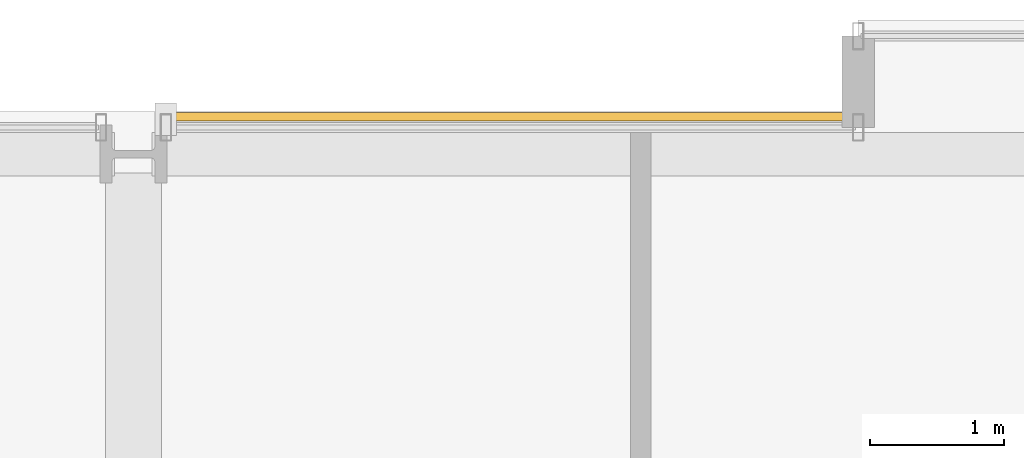
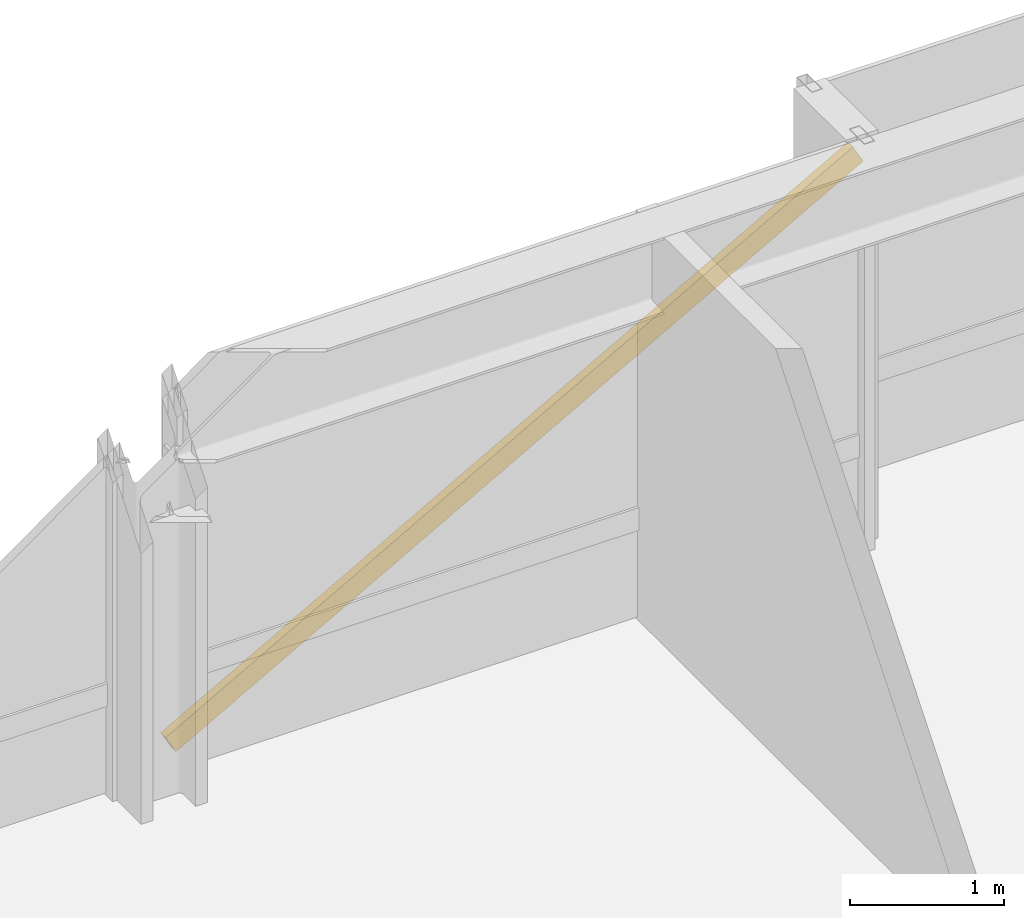
# One storey, part 38 of 38: 1 shading device.
"""IFC4 building model written with IfcOpenShell, lengths in metres."""

from ifc_helpers import new_model, si_unit, direction, frame, origin, origin_2d, place, context, subcontext, project, spatial, hollow_rectangle, extrude, material, material_profile, profile_set, type_object, element, save


model = new_model("IFC4")

# Units and contexts
model_context = context("Model", 3, precision=1e-05, world=origin(), true_north=direction((0.0, 1.0)))
body_context = subcontext(model_context, "Body", "Model", "MODEL_VIEW")
ifc_project = project(units=[si_unit("LENGTHUNIT", "METRE"), si_unit("AREAUNIT", "SQUARE_METRE"), si_unit("VOLUMEUNIT", "CUBIC_METRE"), si_unit("PLANEANGLEUNIT", "RADIAN"), si_unit("MASSUNIT", "GRAM", prefix="KILO")], contexts=[model_context])

# Site, building, storey
site_placement = place(None, origin())
site = spatial("IfcSite", under=ifc_project, at=site_placement, CompositionType="ELEMENT")
building_placement = place(site_placement, origin())
building = spatial("IfcBuilding", under=site, at=building_placement, Name="Drelvath Grand Hotel", CompositionType="ELEMENT")
storey_placement = place(building_placement, frame((0.0, 0.0, 57.699951171875)))
storey = spatial("IfcBuildingStorey", under=building, at=storey_placement, Name="L13", CompositionType="ELEMENT", Elevation=57.699951171875)

# Shading device
ifc_material = material(Name="Warm Bronze Anodised Aluminium", Category="aluminium")
ifc_material_profile = material_profile(ifc_material, hollow_rectangle(XDim=0.06494140625, YDim=0.159912109375, WallThickness=0.00390625, at=origin_2d()), Name="HSS160X65X4")
ifc_profile_set = profile_set([ifc_material_profile], Name="Warm Bronze Anodised Aluminium")
shading_device_type = type_object("IfcShadingDeviceType", Name="Diagonal Solar Fin Warm Bronze Anodised HSS160X65X4", PredefinedType="USERDEFINED", material=ifc_profile_set)
shading_device_placement = place(storey_placement, frame((0.240966796875, 53.280029296875, 0.179931640625), z_axis=(0.873145760887, 0.0, 0.487459208801), x_axis=(0.0, 1.0, 0.0)))
element("IfcShadingDevice", 1, at=shading_device_placement, inside=storey, type_object=shading_device_type, Name="L13 Diagonal Anodised Fin CW02-L13-NM2", ObjectType="FIN", PredefinedType="USERDEFINED", context=body_context, shape_type="SweptSolid", body=[
    extrude(hollow_rectangle(XDim=0.06494140625, YDim=0.159912109375, WallThickness=0.00390625, at=origin_2d()), origin(), (0.0, 0.0, 1.0), 5.908447265625),
])

save(model, "model.ifc")
